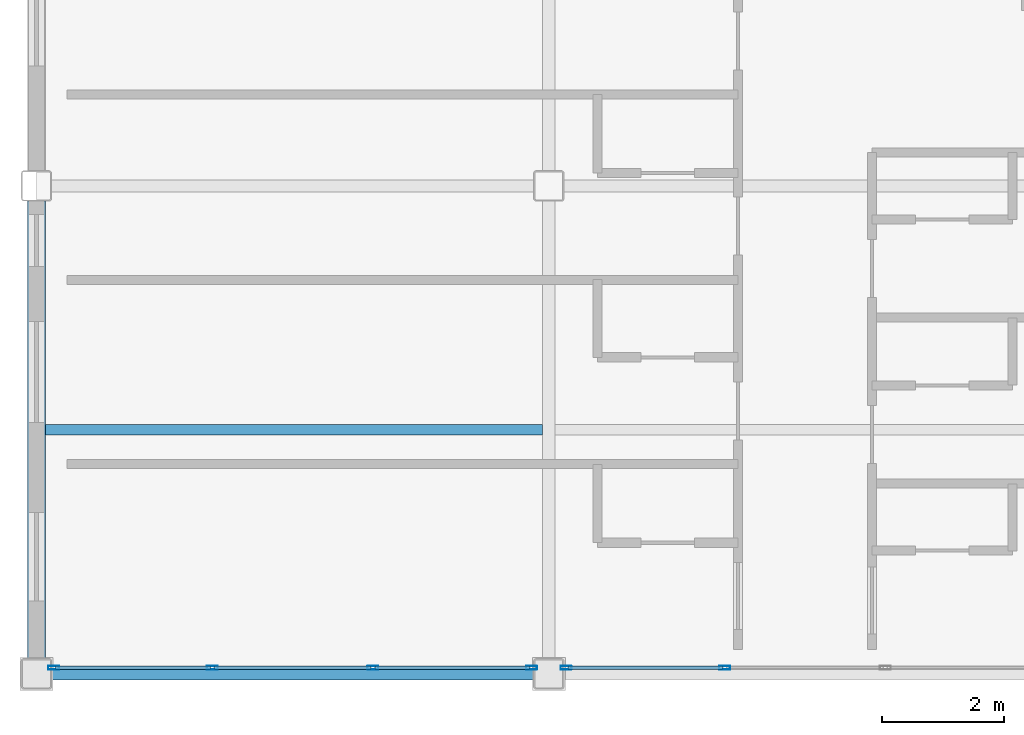
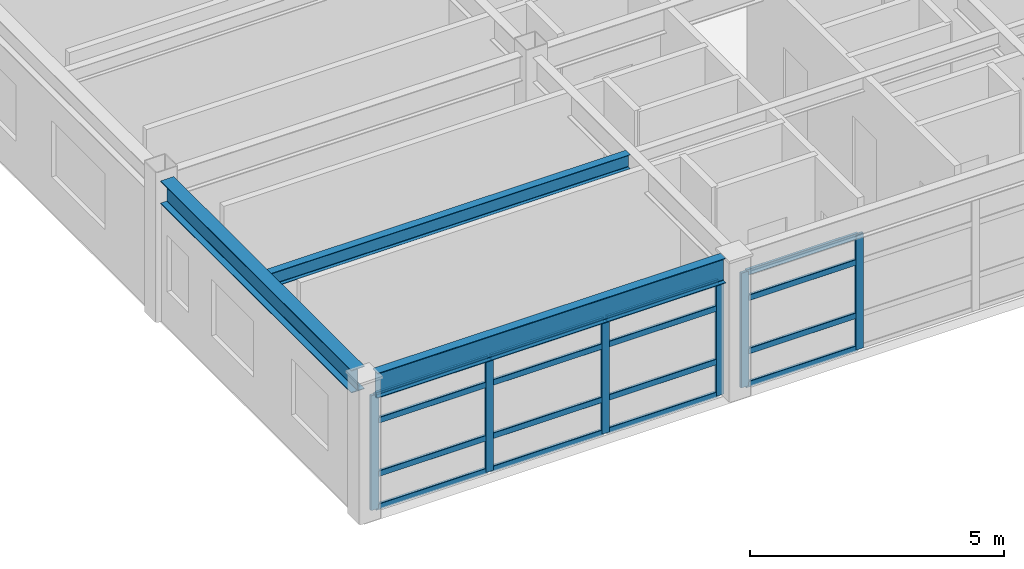
# One storey, part 3 of 33: 22 members, 3 beams, 2 elements without a shape of their own.
"""IFC4 building model written with IfcOpenShell, lengths in metres."""

from ifc_helpers import new_model, si_unit, direction, frame, origin, origin_2d, place, context, subcontext, project, spatial, hollow_rectangle, i_section, extrude, material, layer, layer_set, material_profile, profile_set, type_object, element, aggregate, save


model = new_model("IFC4")

# Units and contexts
model_context = context("Model", 3, precision=1e-05, world=origin(), true_north=direction((0.0, 1.0)))
body_context = subcontext(model_context, "Body", "Model", "MODEL_VIEW")
ifc_project = project(units=[si_unit("LENGTHUNIT", "METRE"), si_unit("AREAUNIT", "SQUARE_METRE"), si_unit("VOLUMEUNIT", "CUBIC_METRE"), si_unit("PLANEANGLEUNIT", "RADIAN"), si_unit("MASSUNIT", "GRAM", prefix="KILO")], contexts=[model_context])

# Site, building, storey
site_placement = place(None, origin())
site = spatial("IfcSite", under=ifc_project, at=site_placement, CompositionType="ELEMENT")
building_placement = place(site_placement, origin())
building = spatial("IfcBuilding", under=site, at=building_placement, Name="Kazehara Bluff Congress Hotel", CompositionType="ELEMENT")
storey_placement = place(building_placement, frame((0.0, 0.0, 39.0)))
storey = spatial("IfcBuildingStorey", under=building, at=storey_placement, Name="L09", CompositionType="ELEMENT", Elevation=39.0)

# Curtain wall, members
ifc_material_1 = material(Name="Anodised aluminium", Category="aluminium")
ifc_layer = layer(ifc_material_1, 0.159912109375)
ifc_layer_set = layer_set([ifc_layer], Name="Anodised aluminium")
curtain_wall_type = type_object("IfcCurtainWallType", Name="TP-CW-185", PredefinedType="NOTDEFINED", material=ifc_layer_set)
curtain_wall_1_placement = place(storey_placement, origin())
curtain_wall_1 = element("IfcCurtainWall", 1, at=curtain_wall_1_placement, inside=storey, type_object=curtain_wall_type, Name="L09 curtain wall CW-185 CW-ENC-V5-L09-14790-810", PredefinedType="NOTDEFINED")
ifc_material_2 = material(Name="Anodised aluminium", Category="aluminium")
ifc_material_profile_1 = material_profile(ifc_material_2, hollow_rectangle(XDim=0.06494140625, YDim=0.179931640625, WallThickness=0.00390625, InnerFilletRadius=0.00390625, OuterFilletRadius=0.008056640625, at=origin_2d()))
ifc_profile_set_1 = profile_set([ifc_material_profile_1], Name="Anodised aluminium")
member_type_1 = type_object("IfcMemberType", Name="TP-CWM-02", PredefinedType="MULLION", material=ifc_profile_set_1)
member_1_placement = place(storey_placement, frame((151.8173828125, 8.10009765625, 0.0), z_axis=(0.0, 0.0, 1.0), x_axis=(0.0, -1.0, 0.0)))
member_1 = element("IfcMember", 2, at=member_1_placement, type_object=member_type_1, Name="CW-185 mullion 1", PredefinedType="MULLION", context=body_context, shape_type="SweptSolid", body=[
    extrude(hollow_rectangle(XDim=0.06494140625, YDim=0.179931640625, WallThickness=0.00390625, InnerFilletRadius=0.00390625, OuterFilletRadius=0.008056640625, at=origin_2d()), origin(), (0.0, 0.0, 1.0), 2.7548828125),
])
member_2_placement = place(storey_placement, frame((149.216552734375, 8.10009765625, 0.0), z_axis=(0.0, 0.0, 1.0), x_axis=(0.0, -1.0, 0.0)))
member_2 = element("IfcMember", 3, at=member_2_placement, type_object=member_type_1, Name="CW-185 mullion 2", PredefinedType="MULLION", context=body_context, shape_type="SweptSolid", body=[
    extrude(hollow_rectangle(XDim=0.06494140625, YDim=0.179931640625, WallThickness=0.00390625, InnerFilletRadius=0.00390625, OuterFilletRadius=0.008056640625, at=origin_2d()), origin(), (0.0, 0.0, 1.0), 2.7548828125),
])
member_3_placement = place(storey_placement, frame((146.583251953125, 8.10009765625, 0.0), z_axis=(0.0, 0.0, 1.0), x_axis=(0.0, -1.0, 0.0)))
member_3 = element("IfcMember", 4, at=member_3_placement, type_object=member_type_1, Name="CW-185 mullion 3", PredefinedType="MULLION", context=body_context, shape_type="SweptSolid", body=[
    extrude(hollow_rectangle(XDim=0.06494140625, YDim=0.179931640625, WallThickness=0.00390625, InnerFilletRadius=0.00390625, OuterFilletRadius=0.008056640625, at=origin_2d()), origin(), (0.0, 0.0, 1.0), 2.7548828125),
])
member_4_placement = place(storey_placement, frame((143.982421875, 8.10009765625, 0.0), z_axis=(0.0, 0.0, 1.0), x_axis=(0.0, -1.0, 0.0)))
member_4 = element("IfcMember", 5, at=member_4_placement, type_object=member_type_1, Name="CW-185 mullion 4", PredefinedType="MULLION", context=body_context, shape_type="SweptSolid", body=[
    extrude(hollow_rectangle(XDim=0.06494140625, YDim=0.179931640625, WallThickness=0.00390625, InnerFilletRadius=0.00390625, OuterFilletRadius=0.008056640625, at=origin_2d()), origin(), (0.0, 0.0, 1.0), 2.7548828125),
])

curtain_wall_2_placement = place(storey_placement, origin())
curtain_wall_2 = element("IfcCurtainWall", 6, at=curtain_wall_2_placement, inside=storey, type_object=curtain_wall_type, Name="L09 curtain wall CW-185 CW-ENC-V5-L09-15630-810", PredefinedType="NOTDEFINED")
member_5_placement = place(storey_placement, frame((154.9833984375, 8.10009765625, 0.0), z_axis=(0.0, 0.0, 1.0), x_axis=(0.0, -1.0, 0.0)))
member_5 = element("IfcMember", 7, at=member_5_placement, type_object=member_type_1, Name="CW-185 mullion 3", PredefinedType="MULLION", context=body_context, shape_type="SweptSolid", body=[
    extrude(hollow_rectangle(XDim=0.06494140625, YDim=0.179931640625, WallThickness=0.00390625, InnerFilletRadius=0.00390625, OuterFilletRadius=0.008056640625, at=origin_2d()), origin(), (0.0, 0.0, 1.0), 2.7548828125),
])
member_6_placement = place(storey_placement, frame((152.382568359375, 8.10009765625, 0.0), z_axis=(0.0, 0.0, 1.0), x_axis=(0.0, -1.0, 0.0)))
member_6 = element("IfcMember", 8, at=member_6_placement, type_object=member_type_1, Name="CW-185 mullion 4", PredefinedType="MULLION", context=body_context, shape_type="SweptSolid", body=[
    extrude(hollow_rectangle(XDim=0.06494140625, YDim=0.179931640625, WallThickness=0.00390625, InnerFilletRadius=0.00390625, OuterFilletRadius=0.008056640625, at=origin_2d()), origin(), (0.0, 0.0, 1.0), 2.7548828125),
])

# Member
ifc_material_3 = material(Name="Anodised aluminium", Category="aluminium")
ifc_material_profile_2 = material_profile(ifc_material_3, hollow_rectangle(XDim=0.06494140625, YDim=0.139892578125, WallThickness=0.00390625, InnerFilletRadius=0.00390625, OuterFilletRadius=0.008056640625, at=origin_2d()))
ifc_profile_set_2 = profile_set([ifc_material_profile_2], Name="Anodised aluminium")
member_type_2 = type_object("IfcMemberType", Name="TP-CWT-02", PredefinedType="USERDEFINED", material=ifc_profile_set_2)
member_7_placement = place(storey_placement, frame((151.784912109375, 8.10009765625, 0.032470703125), z_axis=(-1.0, 0.0, 0.0), x_axis=(0.0, -1.0, 0.0)))
member_7 = element("IfcMember", 9, at=member_7_placement, type_object=member_type_2, Name="CW-185 transom 1.1", ObjectType="TRANSOM", PredefinedType="USERDEFINED", context=body_context, shape_type="SweptSolid", body=[
    extrude(hollow_rectangle(XDim=0.06494140625, YDim=0.139892578125, WallThickness=0.00390625, InnerFilletRadius=0.00390625, OuterFilletRadius=0.008056640625, at=origin_2d()), origin(), (0.0, 0.0, 1.0), 2.53564453125),
])

member_8_placement = place(storey_placement, frame((151.784912109375, 8.10009765625, 0.824951171875), z_axis=(-1.0, 0.0, 0.0), x_axis=(0.0, -1.0, 0.0)))
member_8 = element("IfcMember", 10, at=member_8_placement, type_object=member_type_2, Name="CW-185 transom 1.2", ObjectType="TRANSOM", PredefinedType="USERDEFINED", context=body_context, shape_type="SweptSolid", body=[
    extrude(hollow_rectangle(XDim=0.06494140625, YDim=0.139892578125, WallThickness=0.00390625, InnerFilletRadius=0.00390625, OuterFilletRadius=0.008056640625, at=origin_2d()), origin(), (0.0, 0.0, 1.0), 2.53564453125),
])

member_9_placement = place(storey_placement, frame((151.784912109375, 8.10009765625, 2.10498046875), z_axis=(-1.0, 0.0, 0.0), x_axis=(0.0, -1.0, 0.0)))
member_9 = element("IfcMember", 11, at=member_9_placement, type_object=member_type_2, Name="CW-185 transom 1.3", ObjectType="TRANSOM", PredefinedType="USERDEFINED", context=body_context, shape_type="SweptSolid", body=[
    extrude(hollow_rectangle(XDim=0.06494140625, YDim=0.139892578125, WallThickness=0.00390625, InnerFilletRadius=0.00390625, OuterFilletRadius=0.008056640625, at=origin_2d()), origin(), (0.0, 0.0, 1.0), 2.53564453125),
])

member_10_placement = place(storey_placement, frame((151.784912109375, 8.10009765625, 2.722412109375), z_axis=(-1.0, 0.0, 0.0), x_axis=(0.0, -1.0, 0.0)))
member_10 = element("IfcMember", 12, at=member_10_placement, type_object=member_type_2, Name="CW-185 transom 1.4", ObjectType="TRANSOM", PredefinedType="USERDEFINED", context=body_context, shape_type="SweptSolid", body=[
    extrude(hollow_rectangle(XDim=0.06494140625, YDim=0.139892578125, WallThickness=0.00390625, InnerFilletRadius=0.00390625, OuterFilletRadius=0.008056640625, at=origin_2d()), origin(), (0.0, 0.0, 1.0), 2.53564453125),
])

member_11_placement = place(storey_placement, frame((149.18408203125, 8.10009765625, 0.032470703125), z_axis=(-1.0, 0.0, 0.0), x_axis=(0.0, -1.0, 0.0)))
member_11 = element("IfcMember", 13, at=member_11_placement, type_object=member_type_2, Name="CW-185 transom 2.1", ObjectType="TRANSOM", PredefinedType="USERDEFINED", context=body_context, shape_type="SweptSolid", body=[
    extrude(hollow_rectangle(XDim=0.06494140625, YDim=0.139892578125, WallThickness=0.00390625, InnerFilletRadius=0.00390625, OuterFilletRadius=0.008056640625, at=origin_2d()), origin(), (0.0, 0.0, 1.0), 2.568359375),
])

member_12_placement = place(storey_placement, frame((149.18408203125, 8.10009765625, 0.824951171875), z_axis=(-1.0, 0.0, 0.0), x_axis=(0.0, -1.0, 0.0)))
member_12 = element("IfcMember", 14, at=member_12_placement, type_object=member_type_2, Name="CW-185 transom 2.2", ObjectType="TRANSOM", PredefinedType="USERDEFINED", context=body_context, shape_type="SweptSolid", body=[
    extrude(hollow_rectangle(XDim=0.06494140625, YDim=0.139892578125, WallThickness=0.00390625, InnerFilletRadius=0.00390625, OuterFilletRadius=0.008056640625, at=origin_2d()), origin(), (0.0, 0.0, 1.0), 2.568359375),
])

member_13_placement = place(storey_placement, frame((149.18408203125, 8.10009765625, 2.10498046875), z_axis=(-1.0, 0.0, 0.0), x_axis=(0.0, -1.0, 0.0)))
member_13 = element("IfcMember", 15, at=member_13_placement, type_object=member_type_2, Name="CW-185 transom 2.3", ObjectType="TRANSOM", PredefinedType="USERDEFINED", context=body_context, shape_type="SweptSolid", body=[
    extrude(hollow_rectangle(XDim=0.06494140625, YDim=0.139892578125, WallThickness=0.00390625, InnerFilletRadius=0.00390625, OuterFilletRadius=0.008056640625, at=origin_2d()), origin(), (0.0, 0.0, 1.0), 2.568359375),
])

member_14_placement = place(storey_placement, frame((149.18408203125, 8.10009765625, 2.722412109375), z_axis=(-1.0, 0.0, 0.0), x_axis=(0.0, -1.0, 0.0)))
member_14 = element("IfcMember", 16, at=member_14_placement, type_object=member_type_2, Name="CW-185 transom 2.4", ObjectType="TRANSOM", PredefinedType="USERDEFINED", context=body_context, shape_type="SweptSolid", body=[
    extrude(hollow_rectangle(XDim=0.06494140625, YDim=0.139892578125, WallThickness=0.00390625, InnerFilletRadius=0.00390625, OuterFilletRadius=0.008056640625, at=origin_2d()), origin(), (0.0, 0.0, 1.0), 2.568359375),
])

member_15_placement = place(storey_placement, frame((146.55078125, 8.10009765625, 0.032470703125), z_axis=(-1.0, 0.0, 0.0), x_axis=(0.0, -1.0, 0.0)))
member_15 = element("IfcMember", 17, at=member_15_placement, type_object=member_type_2, Name="CW-185 transom 3.1", ObjectType="TRANSOM", PredefinedType="USERDEFINED", context=body_context, shape_type="SweptSolid", body=[
    extrude(hollow_rectangle(XDim=0.06494140625, YDim=0.139892578125, WallThickness=0.00390625, InnerFilletRadius=0.00390625, OuterFilletRadius=0.008056640625, at=origin_2d()), origin(), (0.0, 0.0, 1.0), 2.535888671875),
])

member_16_placement = place(storey_placement, frame((146.55078125, 8.10009765625, 0.824951171875), z_axis=(-1.0, 0.0, 0.0), x_axis=(0.0, -1.0, 0.0)))
member_16 = element("IfcMember", 18, at=member_16_placement, type_object=member_type_2, Name="CW-185 transom 3.2", ObjectType="TRANSOM", PredefinedType="USERDEFINED", context=body_context, shape_type="SweptSolid", body=[
    extrude(hollow_rectangle(XDim=0.06494140625, YDim=0.139892578125, WallThickness=0.00390625, InnerFilletRadius=0.00390625, OuterFilletRadius=0.008056640625, at=origin_2d()), origin(), (0.0, 0.0, 1.0), 2.535888671875),
])

member_17_placement = place(storey_placement, frame((146.55078125, 8.10009765625, 2.10498046875), z_axis=(-1.0, 0.0, 0.0), x_axis=(0.0, -1.0, 0.0)))
member_17 = element("IfcMember", 19, at=member_17_placement, type_object=member_type_2, Name="CW-185 transom 3.3", ObjectType="TRANSOM", PredefinedType="USERDEFINED", context=body_context, shape_type="SweptSolid", body=[
    extrude(hollow_rectangle(XDim=0.06494140625, YDim=0.139892578125, WallThickness=0.00390625, InnerFilletRadius=0.00390625, OuterFilletRadius=0.008056640625, at=origin_2d()), origin(), (0.0, 0.0, 1.0), 2.535888671875),
])

member_18_placement = place(storey_placement, frame((146.55078125, 8.10009765625, 2.722412109375), z_axis=(-1.0, 0.0, 0.0), x_axis=(0.0, -1.0, 0.0)))
member_18 = element("IfcMember", 20, at=member_18_placement, type_object=member_type_2, Name="CW-185 transom 3.4", ObjectType="TRANSOM", PredefinedType="USERDEFINED", context=body_context, shape_type="SweptSolid", body=[
    extrude(hollow_rectangle(XDim=0.06494140625, YDim=0.139892578125, WallThickness=0.00390625, InnerFilletRadius=0.00390625, OuterFilletRadius=0.008056640625, at=origin_2d()), origin(), (0.0, 0.0, 1.0), 2.535888671875),
])

aggregate(curtain_wall_1, [member_1, member_2, member_3, member_4, member_7, member_8, member_9, member_10, member_11, member_12, member_13, member_14, member_15, member_16, member_17, member_18])

member_19_placement = place(storey_placement, frame((154.950927734375, 8.10009765625, 0.032470703125), z_axis=(-1.0, 0.0, 0.0), x_axis=(0.0, -1.0, 0.0)))
member_19 = element("IfcMember", 21, at=member_19_placement, type_object=member_type_2, Name="CW-185 transom 3.1", ObjectType="TRANSOM", PredefinedType="USERDEFINED", context=body_context, shape_type="SweptSolid", body=[
    extrude(hollow_rectangle(XDim=0.06494140625, YDim=0.139892578125, WallThickness=0.00390625, InnerFilletRadius=0.00390625, OuterFilletRadius=0.008056640625, at=origin_2d()), origin(), (0.0, 0.0, 1.0), 2.535888671875),
])

member_20_placement = place(storey_placement, frame((154.950927734375, 8.10009765625, 0.824951171875), z_axis=(-1.0, 0.0, 0.0), x_axis=(0.0, -1.0, 0.0)))
member_20 = element("IfcMember", 22, at=member_20_placement, type_object=member_type_2, Name="CW-185 transom 3.2", ObjectType="TRANSOM", PredefinedType="USERDEFINED", context=body_context, shape_type="SweptSolid", body=[
    extrude(hollow_rectangle(XDim=0.06494140625, YDim=0.139892578125, WallThickness=0.00390625, InnerFilletRadius=0.00390625, OuterFilletRadius=0.008056640625, at=origin_2d()), origin(), (0.0, 0.0, 1.0), 2.535888671875),
])

member_21_placement = place(storey_placement, frame((154.950927734375, 8.10009765625, 2.10498046875), z_axis=(-1.0, 0.0, 0.0), x_axis=(0.0, -1.0, 0.0)))
member_21 = element("IfcMember", 23, at=member_21_placement, type_object=member_type_2, Name="CW-185 transom 3.3", ObjectType="TRANSOM", PredefinedType="USERDEFINED", context=body_context, shape_type="SweptSolid", body=[
    extrude(hollow_rectangle(XDim=0.06494140625, YDim=0.139892578125, WallThickness=0.00390625, InnerFilletRadius=0.00390625, OuterFilletRadius=0.008056640625, at=origin_2d()), origin(), (0.0, 0.0, 1.0), 2.535888671875),
])

member_22_placement = place(storey_placement, frame((154.950927734375, 8.10009765625, 2.722412109375), z_axis=(-1.0, 0.0, 0.0), x_axis=(0.0, -1.0, 0.0)))
member_22 = element("IfcMember", 24, at=member_22_placement, type_object=member_type_2, Name="CW-185 transom 3.4", ObjectType="TRANSOM", PredefinedType="USERDEFINED", context=body_context, shape_type="SweptSolid", body=[
    extrude(hollow_rectangle(XDim=0.06494140625, YDim=0.139892578125, WallThickness=0.00390625, InnerFilletRadius=0.00390625, OuterFilletRadius=0.008056640625, at=origin_2d()), origin(), (0.0, 0.0, 1.0), 2.535888671875),
])

aggregate(curtain_wall_2, [member_5, member_6, member_19, member_20, member_21, member_22])

# Beams
ifc_material_4 = material(Name="Steel SN490B", Category="steel")
ifc_material_profile_3 = material_profile(ifc_material_4, i_section(OverallWidth=0.199951171875, OverallDepth=0.60009765625, WebThickness=0.010986328125, FlangeThickness=0.01708984375, FilletRadius=0.012939453125, at=origin_2d()))
ifc_profile_set_3 = profile_set([ifc_material_profile_3], Name="Steel SN490B")
beam_type_1 = type_object("IfcBeamType", Name="TP-G-02", PredefinedType="BEAM", material=ifc_profile_set_3)
beam_1_placement = place(storey_placement, frame((143.949951171875, 8.0, 3.080078125), z_axis=(1.0, 0.0, 0.0), x_axis=(0.0, 1.0, 0.0)))
element("IfcBeam", 25, at=beam_1_placement, inside=storey, type_object=beam_type_1, Name="L09 girder G-02 36", PredefinedType="BEAM", context=body_context, shape_type="SweptSolid", body=[
    extrude(i_section(OverallWidth=0.199951171875, OverallDepth=0.60009765625, WebThickness=0.010986328125, FlangeThickness=0.01708984375, FilletRadius=0.012939453125, at=origin_2d()), origin(), (0.0, 0.0, 1.0), 7.900146484375),
])
ifc_material_5 = material(Name="Steel SN400B", Category="steel")
ifc_material_profile_4 = material_profile(ifc_material_5, i_section(OverallWidth=0.175048828125, OverallDepth=0.35009765625, WebThickness=0.007080078125, FlangeThickness=0.010986328125, FilletRadius=0.012939453125, at=origin_2d()))
ifc_profile_set_4 = profile_set([ifc_material_profile_4], Name="Steel SN400B")
beam_type_2 = type_object("IfcBeamType", Name="TP-J-02", PredefinedType="JOIST", material=ifc_profile_set_4)
beam_2_placement = place(storey_placement, frame((143.85009765625, 12.0, 3.205078125), z_axis=(1.0, 0.0, 0.0), x_axis=(0.0, 1.0, 0.0)))
element("IfcBeam", 26, at=beam_2_placement, inside=storey, type_object=beam_type_2, Name="L09 secondary joist J-02 1", PredefinedType="JOIST", context=body_context, shape_type="SweptSolid", body=[
    extrude(i_section(OverallWidth=0.175048828125, OverallDepth=0.35009765625, WebThickness=0.007080078125, FlangeThickness=0.010986328125, FilletRadius=0.012939453125, at=origin_2d()), origin(), (0.0, 0.0, 1.0), 8.14990234375),
])
ifc_material_6 = material(Name="Steel SN490B", Category="steel")
ifc_material_profile_5 = material_profile(ifc_material_6, i_section(OverallWidth=0.300048828125, OverallDepth=0.550048828125, WebThickness=0.010986328125, FlangeThickness=0.01806640625, FilletRadius=0.012939453125, at=origin_2d()))
ifc_profile_set_5 = profile_set([ifc_material_profile_5], Name="Steel SN490B")
beam_type_3 = type_object("IfcBeamType", Name="TP-SP-01", PredefinedType="SPANDREL", material=ifc_profile_set_5)
beam_3_placement = place(storey_placement, frame((143.699951171875, 8.25, 3.10498046875), z_axis=(0.0, 1.0, 0.0), x_axis=(-1.0, 0.0, 0.0)))
element("IfcBeam", 27, at=beam_3_placement, inside=storey, type_object=beam_type_3, Name="L09 girder SP-01 1", PredefinedType="SPANDREL", context=body_context, shape_type="SweptSolid", body=[
    extrude(i_section(OverallWidth=0.300048828125, OverallDepth=0.550048828125, WebThickness=0.010986328125, FlangeThickness=0.01806640625, FilletRadius=0.012939453125, at=origin_2d()), origin(), (0.0, 0.0, 1.0), 7.5),
])

save(model, "model.ifc")
